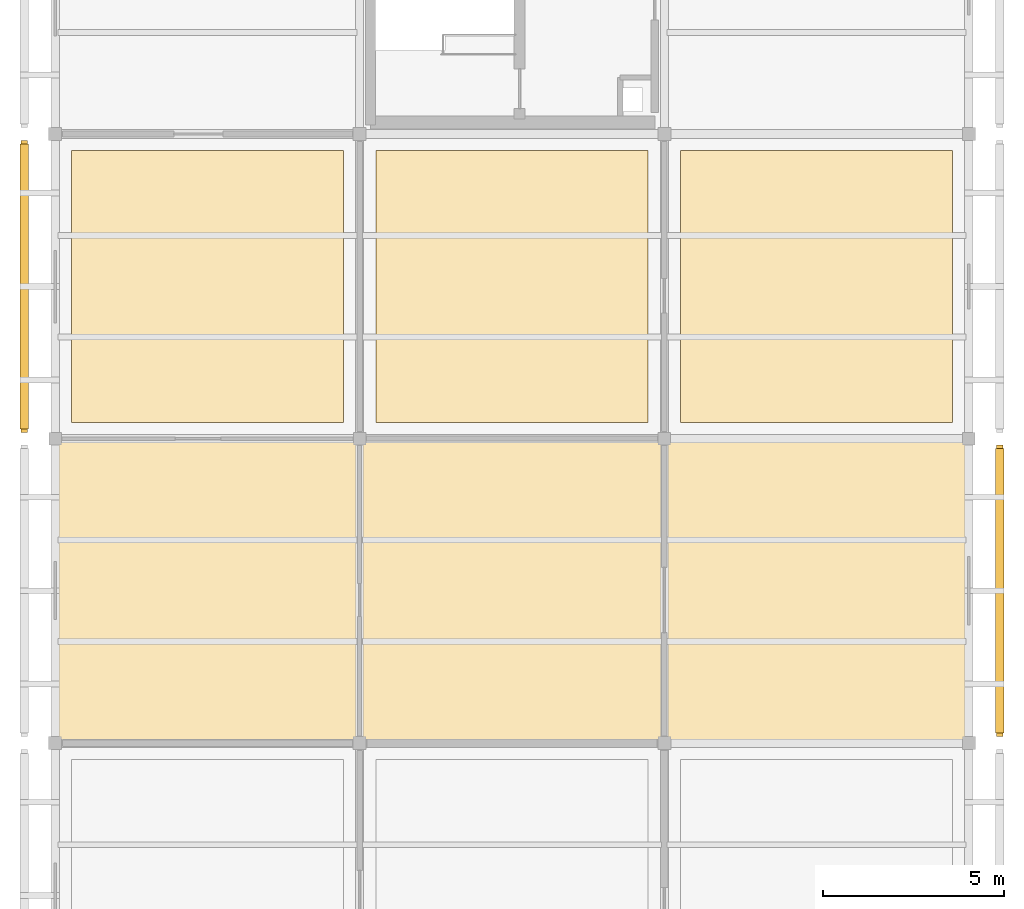
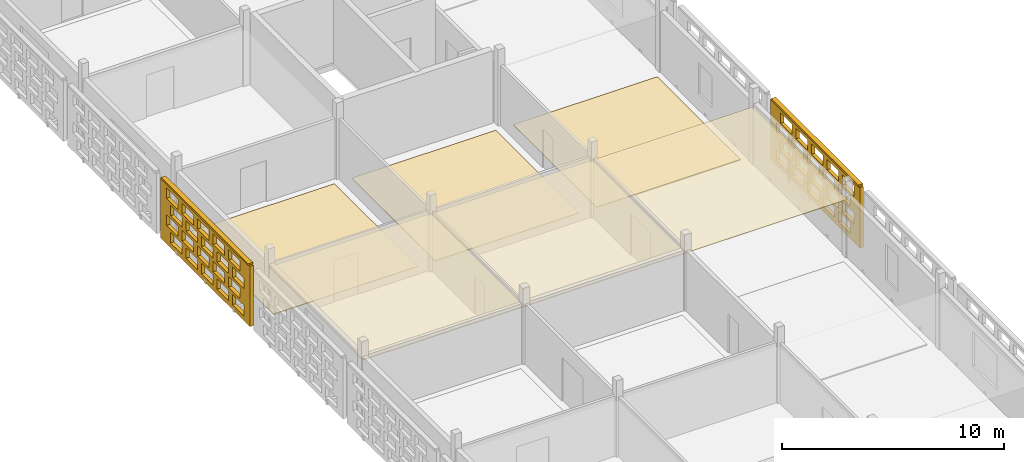
# One storey, part 9 of 13: 8 coverings, 2 shading devices, 40 openings.
"""IFC4 building model written with IfcOpenShell, lengths in metres."""

import ifcopenshell
import ifcopenshell.guid

model = None  # the IFC model being written
_history = None  # IfcOwnerHistory: only IFC2X3 demands one
_inside = {}  # id of a spatial element -> (the spatial element, [elements in it])
_under = {}  # id of a project, library or spatial element -> (it, [spatial elements below it])
_declared = {}  # id of a project -> (the project, [libraries it declares])
_typed = {}  # id of a type object -> (the type object, [elements of that type])
_made_of = {}  # id of a material, layer set ... -> (it, [elements and type objects made of it])


def new_model(schema):
    """Start an empty IFC model of exactly this schema.

    Asked for "IFC4X3", IfcOpenShell would pick the latest addendum, in which some entities
    have other attributes; the version numbers below select the first issue.
    IFC2X3 requires an IfcOwnerHistory on every rooted entity: one is made here for all.
    """
    global model, _history
    if schema == "IFC4X3":
        model = ifcopenshell.file(schema_version=(4, 3, 0, 0))
    else:
        model = ifcopenshell.file(schema=schema)
    _inside.clear()
    _under.clear()
    _declared.clear()
    _typed.clear()
    _made_of.clear()
    _history = None
    if model.schema == "IFC2X3":
        org = make("IfcOrganization", Name="unknown")
        user = make(
            "IfcPersonAndOrganization",
            ThePerson=make("IfcPerson", FamilyName="unknown"),
            TheOrganization=org,
        )
        app = make(
            "IfcApplication",
            ApplicationDeveloper=org,
            Version="unknown",
            ApplicationFullName="unknown",
            ApplicationIdentifier="unknown",
        )
        _history = make(
            "IfcOwnerHistory",
            OwningUser=user,
            OwningApplication=app,
            ChangeAction="ADDED",
            CreationDate=0,
        )
    return model


def make(cls, **values):
    """One entity of the class cls with the attributes given. An attribute that is None is left unset."""
    return model.create_entity(
        cls, **{name: value for name, value in values.items() if value is not None}
    )


def rooted(cls, **values):
    """An entity with a GlobalId (a new one), such as an element, a storey or a relation."""
    return make(cls, GlobalId=ifcopenshell.guid.new(), OwnerHistory=_history, **values)


def si_unit(unit_type, name, prefix=None):
    """IfcSIUnit, for example si_unit("LENGTHUNIT", "METRE", prefix="MILLI")."""
    return make("IfcSIUnit", UnitType=unit_type, Prefix=prefix, Name=name)


def assignment(units):
    """IfcUnitAssignment: the units of a project."""
    return None if units is None else make("IfcUnitAssignment", Units=units)


def point(xyz):
    """IfcCartesianPoint."""
    return None if xyz is None else make("IfcCartesianPoint", Coordinates=xyz)


def direction(xyz):
    """IfcDirection."""
    return None if xyz is None else make("IfcDirection", DirectionRatios=xyz)


def frame(location, z_axis=None, x_axis=None):
    """IfcAxis2Placement3D, a coordinate frame: its origin and axes. An axis left out is left unset."""
    return make(
        "IfcAxis2Placement3D",
        Location=point(location),
        Axis=direction(z_axis),
        RefDirection=direction(x_axis),
    )


def frame_2d(location, x_axis=None):
    """IfcAxis2Placement2D, a coordinate frame in the plane: its origin and x axis."""
    return make(
        "IfcAxis2Placement2D", Location=point(location), RefDirection=direction(x_axis)
    )


def origin():
    """The frame at (0, 0, 0) with its axes left unset."""
    return frame((0.0, 0.0, 0.0))


def origin_2d():
    """The frame at (0, 0) in the plane with its x axis left unset."""
    return frame_2d((0.0, 0.0))


def place(relative_to, where):
    """IfcLocalPlacement: puts the frame where relative to a parent placement (None: the world)."""
    return make(
        "IfcLocalPlacement", PlacementRelTo=relative_to, RelativePlacement=where
    )


def context(
    kind, dimensions, precision=None, world=None, true_north=None, identifier=None
):
    """IfcGeometricRepresentationContext, for example the 3D "Model" context."""
    return make(
        "IfcGeometricRepresentationContext",
        ContextIdentifier=identifier,
        ContextType=kind,
        CoordinateSpaceDimension=dimensions,
        Precision=precision,
        WorldCoordinateSystem=world,
        TrueNorth=true_north,
    )


def subcontext(parent, identifier, kind, view, scale=None):
    """IfcGeometricRepresentationSubContext, for example "Body" below "Model"."""
    return make(
        "IfcGeometricRepresentationSubContext",
        ContextIdentifier=identifier,
        ContextType=kind,
        ParentContext=parent,
        TargetScale=scale,
        TargetView=view,
    )


def project(units=None, contexts=None):
    """IfcProject with its units and contexts."""
    return rooted(
        "IfcProject",
        Name="project",
        RepresentationContexts=contexts,
        UnitsInContext=assignment(units),
    )


def spatial(cls, under=None, at=None, **own):
    """A site, building, storey or space (cls), placed at a placement, below another one or the project."""
    s = rooted(cls, ObjectPlacement=at, **own)
    if under is not None:
        _under.setdefault(under.id(), (under, []))[1].append(s)
    return s


def profile(cls, at=None, kind="AREA", **sizes):
    """A parametric profile (cls). Its sizes go by their IFC names, for example OverallWidth=200.0."""
    return make(cls, ProfileType=kind, Position=at, **sizes)


def rectangle(**sizes):
    """IfcRectangleProfileDef."""
    return profile("IfcRectangleProfileDef", **sizes)


def extrude(swept, where, along, depth):
    """IfcExtrudedAreaSolid: the profile swept, set in the frame where, extruded along a direction by depth."""
    return make(
        "IfcExtrudedAreaSolid",
        SweptArea=swept,
        Position=where,
        ExtrudedDirection=direction(along),
        Depth=depth,
    )


def shape(context_of_items, identifier, shape_type, items):
    """IfcShapeRepresentation: the items that make up one representation, for example the "Body"."""
    return make(
        "IfcShapeRepresentation",
        ContextOfItems=context_of_items,
        RepresentationIdentifier=identifier,
        RepresentationType=shape_type,
        Items=items,
    )


def material(Name=None, Category=None):
    """IfcMaterial."""
    return make("IfcMaterial", Name=Name, Category=Category)


def layer(
    of_material, thickness, ventilated=None, Name=None, Category=None, Priority=None
):
    """IfcMaterialLayer: one layer of a wall or slab, of a material (None: an air gap)."""
    return make(
        "IfcMaterialLayer",
        Material=of_material,
        LayerThickness=thickness,
        IsVentilated=ventilated,
        Name=Name,
        Category=Category,
        Priority=Priority,
    )


def layer_set(layers, Name=None):
    """IfcMaterialLayerSet."""
    return make("IfcMaterialLayerSet", MaterialLayers=layers, LayerSetName=Name)


def made_of(thing, what):
    """Note that an element or type object is made of a material, layer set ...; save() writes the relation."""
    if what is not None:
        _made_of.setdefault(what.id(), (what, []))[1].append(thing)
    return thing


def type_object(cls, material=None, **own):
    """A type object (cls), such as IfcWallType, which elements share."""
    return made_of(rooted(cls, **own), material)


def element(
    cls,
    number,
    at=None,
    inside=None,
    cuts=None,
    type_object=None,
    material=None,
    context=None,
    identifier="Body",
    shape_type=None,
    held_by="IfcProductDefinitionShape",
    body=None,
    shapes=None,
    **own,
):
    """One element of the class cls, such as IfcWall. Its Tag is "e" and its number.

    at: its placement. inside: the storey or other place that contains it. cuts: it is an
    opening in that element (IfcRelVoidsElement). A single representation is given by context,
    identifier, shape_type and body (its items); several are given by shapes. held_by: the class
    of the entity that holds the representations. save() writes the other relations.
    """
    e = rooted(cls, Tag="e%d" % number, ObjectPlacement=at, **own)
    if body is not None:
        shapes = [shape(context, identifier, shape_type, body)]
    if shapes is not None:
        e.Representation = make(held_by, Representations=shapes)
    if inside is not None:
        _inside.setdefault(inside.id(), (inside, []))[1].append(e)
    if cuts is not None:
        rooted(
            "IfcRelVoidsElement", RelatingBuildingElement=cuts, RelatedOpeningElement=e
        )
    if type_object is not None:
        _typed.setdefault(type_object.id(), (type_object, []))[1].append(e)
    return made_of(e, material)


def aggregate(whole, parts):
    """IfcRelAggregates: a whole, such as a stair, and the parts it consists of."""
    return rooted("IfcRelAggregates", RelatingObject=whole, RelatedObjects=parts)


def save(model, path):
    """Write the relations noted so far, then the file.

    IfcRelAggregates (storeys below a building ...), IfcRelContainedInSpatialStructure (elements
    in a storey), IfcRelDefinesByType, IfcRelAssociatesMaterial and IfcRelDeclares: one each for
    every whole, place, type object, material and project.
    """
    for whole, parts in _under.values():
        aggregate(whole, parts)
    for where, things in _inside.values():
        rooted(
            "IfcRelContainedInSpatialStructure",
            RelatedElements=things,
            RelatingStructure=where,
        )
    for kind, things in _typed.values():
        rooted("IfcRelDefinesByType", RelatedObjects=things, RelatingType=kind)
    for what, things in _made_of.values():
        rooted("IfcRelAssociatesMaterial", RelatedObjects=things, RelatingMaterial=what)
    for by, libraries in _declared.values():
        rooted("IfcRelDeclares", RelatingContext=by, RelatedDefinitions=libraries)
    model.write(path)


model = new_model("IFC4")

# Units and contexts
model_context = context("Model", 3, precision=1e-05, world=origin(), true_north=direction((0.0, 1.0)))
body_context = subcontext(model_context, "Body", "Model", "MODEL_VIEW")
ifc_project = project(units=[si_unit("LENGTHUNIT", "METRE"), si_unit("AREAUNIT", "SQUARE_METRE"), si_unit("VOLUMEUNIT", "CUBIC_METRE"), si_unit("PLANEANGLEUNIT", "RADIAN"), si_unit("MASSUNIT", "GRAM", prefix="KILO")], contexts=[model_context])

# Site, building, storey
site_placement = place(None, origin())
site = spatial("IfcSite", under=ifc_project, at=site_placement, CompositionType="ELEMENT")
building_placement = place(site_placement, origin())
building = spatial("IfcBuilding", under=site, at=building_placement, Name="Varnapada Polytechnic", CompositionType="ELEMENT")
storey_placement = place(building_placement, frame((0.0, 0.0, 26.39990234375)))
storey = spatial("IfcBuildingStorey", under=building, at=storey_placement, Name="L06", CompositionType="ELEMENT", Elevation=26.39990234375)

# Coverings
ifc_material_1 = material(Name="Acoustic Rubber Seminar Flooring")
ifc_layer_1 = layer(ifc_material_1, 0.0400390625)
ifc_layer_set_1 = layer_set([ifc_layer_1], Name="Acoustic Rubber Seminar Flooring")
covering_type_1 = type_object("IfcCoveringType", Name="Floor Finish FLR-06", PredefinedType="FLOORING", material=ifc_layer_set_1)
for number, where, z_axis, x_axis, name in (
    (1, (4.199951171875, 96.60009765625, 0.0), (0.0, 0.0, 1.0), (1.0, 0.0, 0.0), "L06 floor finish panel (1,12)"),
    (2, (12.60009765625, 96.60009765625, 0.0), (0.0, 0.0, 1.0), (1.0, 0.0, 0.0), "L06 floor finish panel (2,12)"),
    (3, (21.0, 96.60009765625, 0.0), (0.0, 0.0, 1.0), (1.0, 0.0, 0.0), "L06 floor finish panel (3,12)"),
):
    element("IfcCovering", number, at=place(storey_placement, frame(where, z_axis=z_axis, x_axis=x_axis)), inside=storey, type_object=covering_type_1, Name=name, PredefinedType="FLOORING", context=body_context, shape_type="SweptSolid", body=[
        extrude(rectangle(XDim=7.5, YDim=7.5, at=origin_2d()), origin(), (0.0, 0.0, 1.0), 0.0400390625),
    ])
ifc_material_2 = material(Name="Moisture-Resistant Aluminum Baffle Ceiling", Category="aluminium")
ifc_layer_2 = layer(ifc_material_2, 0.030029296875)
ifc_layer_set_2 = layer_set([ifc_layer_2], Name="Moisture-Resistant Aluminum Baffle Ceiling")
covering_type_2 = type_object("IfcCoveringType", Name="Suspended Ceiling CLG-03", PredefinedType="CEILING", material=ifc_layer_set_2)
covering_1_placement = place(storey_placement, frame((21.0, 88.199951171875, 3.03515625), z_axis=(0.0, 0.0, 1.0), x_axis=(1.0, 0.0, 0.0)))
element("IfcCovering", 4, at=covering_1_placement, inside=storey, type_object=covering_type_2, Name="L06 suspended acoustic ceiling (3,11)", PredefinedType="CEILING", context=body_context, shape_type="SweptSolid", body=[
    extrude(rectangle(XDim=8.419921875, YDim=8.419921875, at=origin_2d()), origin(), (0.0, 0.0, 1.0), 0.030029296875),
])
ifc_material_3 = material(Name="Micro-Perforated Gypsum Acoustic Ceiling")
ifc_layer_3 = layer(ifc_material_3, 0.044921875)
ifc_layer_set_3 = layer_set([ifc_layer_3], Name="Micro-Perforated Gypsum Acoustic Ceiling")
covering_type_3 = type_object("IfcCoveringType", Name="Suspended Ceiling CLG-04", PredefinedType="CEILING", material=ifc_layer_set_3)
covering_2_placement = place(storey_placement, frame((12.60009765625, 88.199951171875, 3.027587890625), z_axis=(0.0, 0.0, 1.0), x_axis=(1.0, 0.0, 0.0)))
element("IfcCovering", 5, at=covering_2_placement, inside=storey, type_object=covering_type_3, Name="L06 suspended acoustic ceiling (2,11)", PredefinedType="CEILING", context=body_context, shape_type="SweptSolid", body=[
    extrude(rectangle(XDim=8.419921875, YDim=8.419921875, at=origin_2d()), origin(), (0.0, 0.0, 1.0), 0.044921875),
])
ifc_material_4 = material(Name="Slatted Merbau Timber Acoustic Ceiling", Category="wood")
ifc_layer_4 = layer(ifc_material_4, 0.054931640625)
ifc_layer_set_4 = layer_set([ifc_layer_4], Name="Slatted Merbau Timber Acoustic Ceiling")
covering_type_4 = type_object("IfcCoveringType", Name="Suspended Ceiling CLG-05", PredefinedType="CEILING", material=ifc_layer_set_4)
covering_3_placement = place(storey_placement, frame((4.199951171875, 88.199951171875, 3.0224609375), z_axis=(0.0, 0.0, 1.0), x_axis=(1.0, 0.0, 0.0)))
element("IfcCovering", 6, at=covering_3_placement, inside=storey, type_object=covering_type_4, Name="L06 suspended acoustic ceiling (1,11)", PredefinedType="CEILING", context=body_context, shape_type="SweptSolid", body=[
    extrude(rectangle(XDim=8.419921875, YDim=8.419921875, at=origin_2d()), origin(), (0.0, 0.0, 1.0), 0.054931640625),
])

# Covering, openings
ifc_material_5 = material(Name="Earth-toned architectural terracotta screen block", Category="masonry")
ifc_layer_5 = layer(ifc_material_5, 0.1201171875)
ifc_layer_set_5 = layer_set([ifc_layer_5], Name="Earth-toned architectural terracotta screen block")
covering_type_5 = type_object("IfcCoveringType", Name="Terracotta Screen Cladding CLD-01", PredefinedType="CLADDING", material=ifc_layer_set_5)
covering_4_placement = place(storey_placement, frame((-0.85009765625, 92.570068359375, 0.0), z_axis=(0.0, 0.0, 1.0), x_axis=(0.0, 1.0, 0.0)))
covering_4 = element("IfcCovering", 7, at=covering_4_placement, inside=storey, type_object=covering_type_5, Name="L06 perforated terracotta block screen (6)", PredefinedType="CLADDING", context=body_context, shape_type="SweptSolid", body=[
    extrude(rectangle(XDim=8.050048828125, YDim=0.179931640625, at=frame_2d((4.02490234375, 0.0))), origin(), (0.0, 0.0, 1.0), 3.320068359375),
])
opening_1_placement = place(covering_4_placement, frame((0.52490234375, 0.0, 0.265625)))
element("IfcOpeningElement", 8, at=opening_1_placement, cuts=covering_4, Name="Screen perforation TBS-L06-005.1", PredefinedType="OPENING", context=body_context, shape_type="SweptSolid", body=[
    extrude(rectangle(XDim=1.0400390625, YDim=0.5810546875, at=frame_2d((0.52001953125, 0.29052734375))), frame((0.0, 0.099853515625, 0.0), z_axis=(0.0, -1.0, 0.0), x_axis=(1.0, 0.0, 0.0)), (0.0, 0.0, 1.0), 0.199951171875),
])
opening_2_placement = place(covering_4_placement, frame((1.925048828125, 0.0, 0.265625)))
element("IfcOpeningElement", 9, at=opening_2_placement, cuts=covering_4, Name="Screen perforation TBS-L06-005.2", PredefinedType="OPENING", context=body_context, shape_type="SweptSolid", body=[
    extrude(rectangle(XDim=1.0400390625, YDim=0.5810546875, at=frame_2d((0.52001953125, 0.29052734375))), frame((0.0, 0.099853515625, 0.0), z_axis=(0.0, -1.0, 0.0), x_axis=(1.0, 0.0, 0.0)), (0.0, 0.0, 1.0), 0.199951171875),
])
opening_3_placement = place(covering_4_placement, frame((3.324951171875, 0.0, 0.265625)))
element("IfcOpeningElement", 10, at=opening_3_placement, cuts=covering_4, Name="Screen perforation TBS-L06-005.3", PredefinedType="OPENING", context=body_context, shape_type="SweptSolid", body=[
    extrude(rectangle(XDim=1.0400390625, YDim=0.5810546875, at=frame_2d((0.52001953125, 0.29052734375))), frame((0.0, 0.099853515625, 0.0), z_axis=(0.0, -1.0, 0.0), x_axis=(1.0, 0.0, 0.0)), (0.0, 0.0, 1.0), 0.199951171875),
])
opening_4_placement = place(covering_4_placement, frame((4.72509765625, 0.0, 0.265625)))
element("IfcOpeningElement", 11, at=opening_4_placement, cuts=covering_4, Name="Screen perforation TBS-L06-005.4", PredefinedType="OPENING", context=body_context, shape_type="SweptSolid", body=[
    extrude(rectangle(XDim=1.0400390625, YDim=0.5810546875, at=frame_2d((0.52001953125, 0.29052734375))), frame((0.0, 0.099853515625, 0.0), z_axis=(0.0, -1.0, 0.0), x_axis=(1.0, 0.0, 0.0)), (0.0, 0.0, 1.0), 0.199951171875),
])
opening_5_placement = place(covering_4_placement, frame((6.125, 0.0, 0.265625)))
element("IfcOpeningElement", 12, at=opening_5_placement, cuts=covering_4, Name="Screen perforation TBS-L06-005.5", PredefinedType="OPENING", context=body_context, shape_type="SweptSolid", body=[
    extrude(rectangle(XDim=1.0400390625, YDim=0.5810546875, at=frame_2d((0.52001953125, 0.29052734375))), frame((0.0, 0.099853515625, 0.0), z_axis=(0.0, -1.0, 0.0), x_axis=(1.0, 0.0, 0.0)), (0.0, 0.0, 1.0), 0.199951171875),
])
opening_6_placement = place(covering_4_placement, frame((0.885009765625, 0.0, 1.0126953125)))
element("IfcOpeningElement", 13, at=opening_6_placement, cuts=covering_4, Name="Screen perforation TBS-L06-005.6", PredefinedType="OPENING", context=body_context, shape_type="SweptSolid", body=[
    extrude(rectangle(XDim=1.0400390625, YDim=0.5810546875, at=frame_2d((0.52001953125, 0.29052734375))), frame((0.0, 0.099853515625, 0.0), z_axis=(0.0, -1.0, 0.0), x_axis=(1.0, 0.0, 0.0)), (0.0, 0.0, 1.0), 0.199951171875),
])
opening_7_placement = place(covering_4_placement, frame((2.284912109375, 0.0, 1.0126953125)))
element("IfcOpeningElement", 14, at=opening_7_placement, cuts=covering_4, Name="Screen perforation TBS-L06-005.7", PredefinedType="OPENING", context=body_context, shape_type="SweptSolid", body=[
    extrude(rectangle(XDim=1.0400390625, YDim=0.5810546875, at=frame_2d((0.52001953125, 0.29052734375))), frame((0.0, 0.099853515625, 0.0), z_axis=(0.0, -1.0, 0.0), x_axis=(1.0, 0.0, 0.0)), (0.0, 0.0, 1.0), 0.199951171875),
])
opening_8_placement = place(covering_4_placement, frame((3.68505859375, 0.0, 1.0126953125)))
element("IfcOpeningElement", 15, at=opening_8_placement, cuts=covering_4, Name="Screen perforation TBS-L06-005.8", PredefinedType="OPENING", context=body_context, shape_type="SweptSolid", body=[
    extrude(rectangle(XDim=1.0400390625, YDim=0.5810546875, at=frame_2d((0.52001953125, 0.29052734375))), frame((0.0, 0.099853515625, 0.0), z_axis=(0.0, -1.0, 0.0), x_axis=(1.0, 0.0, 0.0)), (0.0, 0.0, 1.0), 0.199951171875),
])
opening_9_placement = place(covering_4_placement, frame((5.0849609375, 0.0, 1.0126953125)))
element("IfcOpeningElement", 16, at=opening_9_placement, cuts=covering_4, Name="Screen perforation TBS-L06-005.9", PredefinedType="OPENING", context=body_context, shape_type="SweptSolid", body=[
    extrude(rectangle(XDim=1.0400390625, YDim=0.5810546875, at=frame_2d((0.52001953125, 0.29052734375))), frame((0.0, 0.099853515625, 0.0), z_axis=(0.0, -1.0, 0.0), x_axis=(1.0, 0.0, 0.0)), (0.0, 0.0, 1.0), 0.199951171875),
])
opening_10_placement = place(covering_4_placement, frame((6.485107421875, 0.0, 1.0126953125)))
element("IfcOpeningElement", 17, at=opening_10_placement, cuts=covering_4, Name="Screen perforation TBS-L06-005.10", PredefinedType="OPENING", context=body_context, shape_type="SweptSolid", body=[
    extrude(rectangle(XDim=1.0400390625, YDim=0.5810546875, at=frame_2d((0.52001953125, 0.29052734375))), frame((0.0, 0.099853515625, 0.0), z_axis=(0.0, -1.0, 0.0), x_axis=(1.0, 0.0, 0.0)), (0.0, 0.0, 1.0), 0.199951171875),
])
opening_11_placement = place(covering_4_placement, frame((0.52490234375, 0.0, 1.759521484375)))
element("IfcOpeningElement", 18, at=opening_11_placement, cuts=covering_4, Name="Screen perforation TBS-L06-005.11", PredefinedType="OPENING", context=body_context, shape_type="SweptSolid", body=[
    extrude(rectangle(XDim=1.0400390625, YDim=0.5810546875, at=frame_2d((0.52001953125, 0.29052734375))), frame((0.0, 0.099853515625, 0.0), z_axis=(0.0, -1.0, 0.0), x_axis=(1.0, 0.0, 0.0)), (0.0, 0.0, 1.0), 0.199951171875),
])
opening_12_placement = place(covering_4_placement, frame((1.925048828125, 0.0, 1.759521484375)))
element("IfcOpeningElement", 19, at=opening_12_placement, cuts=covering_4, Name="Screen perforation TBS-L06-005.12", PredefinedType="OPENING", context=body_context, shape_type="SweptSolid", body=[
    extrude(rectangle(XDim=1.0400390625, YDim=0.5810546875, at=frame_2d((0.52001953125, 0.29052734375))), frame((0.0, 0.099853515625, 0.0), z_axis=(0.0, -1.0, 0.0), x_axis=(1.0, 0.0, 0.0)), (0.0, 0.0, 1.0), 0.199951171875),
])
opening_13_placement = place(covering_4_placement, frame((3.324951171875, 0.0, 1.759521484375)))
element("IfcOpeningElement", 20, at=opening_13_placement, cuts=covering_4, Name="Screen perforation TBS-L06-005.13", PredefinedType="OPENING", context=body_context, shape_type="SweptSolid", body=[
    extrude(rectangle(XDim=1.0400390625, YDim=0.5810546875, at=frame_2d((0.52001953125, 0.29052734375))), frame((0.0, 0.099853515625, 0.0), z_axis=(0.0, -1.0, 0.0), x_axis=(1.0, 0.0, 0.0)), (0.0, 0.0, 1.0), 0.199951171875),
])
opening_14_placement = place(covering_4_placement, frame((4.72509765625, 0.0, 1.759521484375)))
element("IfcOpeningElement", 21, at=opening_14_placement, cuts=covering_4, Name="Screen perforation TBS-L06-005.14", PredefinedType="OPENING", context=body_context, shape_type="SweptSolid", body=[
    extrude(rectangle(XDim=1.0400390625, YDim=0.5810546875, at=frame_2d((0.52001953125, 0.29052734375))), frame((0.0, 0.099853515625, 0.0), z_axis=(0.0, -1.0, 0.0), x_axis=(1.0, 0.0, 0.0)), (0.0, 0.0, 1.0), 0.199951171875),
])
opening_15_placement = place(covering_4_placement, frame((6.125, 0.0, 1.759521484375)))
element("IfcOpeningElement", 22, at=opening_15_placement, cuts=covering_4, Name="Screen perforation TBS-L06-005.15", PredefinedType="OPENING", context=body_context, shape_type="SweptSolid", body=[
    extrude(rectangle(XDim=1.0400390625, YDim=0.5810546875, at=frame_2d((0.52001953125, 0.29052734375))), frame((0.0, 0.099853515625, 0.0), z_axis=(0.0, -1.0, 0.0), x_axis=(1.0, 0.0, 0.0)), (0.0, 0.0, 1.0), 0.199951171875),
])
opening_16_placement = place(covering_4_placement, frame((0.885009765625, 0.0, 2.506591796875)))
element("IfcOpeningElement", 23, at=opening_16_placement, cuts=covering_4, Name="Screen perforation TBS-L06-005.16", PredefinedType="OPENING", context=body_context, shape_type="SweptSolid", body=[
    extrude(rectangle(XDim=1.0400390625, YDim=0.5810546875, at=frame_2d((0.52001953125, 0.29052734375))), frame((0.0, 0.099853515625, 0.0), z_axis=(0.0, -1.0, 0.0), x_axis=(1.0, 0.0, 0.0)), (0.0, 0.0, 1.0), 0.199951171875),
])
opening_17_placement = place(covering_4_placement, frame((2.284912109375, 0.0, 2.506591796875)))
element("IfcOpeningElement", 24, at=opening_17_placement, cuts=covering_4, Name="Screen perforation TBS-L06-005.17", PredefinedType="OPENING", context=body_context, shape_type="SweptSolid", body=[
    extrude(rectangle(XDim=1.0400390625, YDim=0.5810546875, at=frame_2d((0.52001953125, 0.29052734375))), frame((0.0, 0.099853515625, 0.0), z_axis=(0.0, -1.0, 0.0), x_axis=(1.0, 0.0, 0.0)), (0.0, 0.0, 1.0), 0.199951171875),
])
opening_18_placement = place(covering_4_placement, frame((3.68505859375, 0.0, 2.506591796875)))
element("IfcOpeningElement", 25, at=opening_18_placement, cuts=covering_4, Name="Screen perforation TBS-L06-005.18", PredefinedType="OPENING", context=body_context, shape_type="SweptSolid", body=[
    extrude(rectangle(XDim=1.0400390625, YDim=0.5810546875, at=frame_2d((0.52001953125, 0.29052734375))), frame((0.0, 0.099853515625, 0.0), z_axis=(0.0, -1.0, 0.0), x_axis=(1.0, 0.0, 0.0)), (0.0, 0.0, 1.0), 0.199951171875),
])
opening_19_placement = place(covering_4_placement, frame((5.0849609375, 0.0, 2.506591796875)))
element("IfcOpeningElement", 26, at=opening_19_placement, cuts=covering_4, Name="Screen perforation TBS-L06-005.19", PredefinedType="OPENING", context=body_context, shape_type="SweptSolid", body=[
    extrude(rectangle(XDim=1.0400390625, YDim=0.5810546875, at=frame_2d((0.52001953125, 0.29052734375))), frame((0.0, 0.099853515625, 0.0), z_axis=(0.0, -1.0, 0.0), x_axis=(1.0, 0.0, 0.0)), (0.0, 0.0, 1.0), 0.199951171875),
])
opening_20_placement = place(covering_4_placement, frame((6.485107421875, 0.0, 2.506591796875)))
element("IfcOpeningElement", 27, at=opening_20_placement, cuts=covering_4, Name="Screen perforation TBS-L06-005.20", PredefinedType="OPENING", context=body_context, shape_type="SweptSolid", body=[
    extrude(rectangle(XDim=1.0400390625, YDim=0.5810546875, at=frame_2d((0.52001953125, 0.29052734375))), frame((0.0, 0.099853515625, 0.0), z_axis=(0.0, -1.0, 0.0), x_axis=(1.0, 0.0, 0.0)), (0.0, 0.0, 1.0), 0.199951171875),
])

covering_5_placement = place(storey_placement, frame((26.050048828125, 92.22998046875, 0.0), z_axis=(0.0, 0.0, 1.0), x_axis=(0.0, -1.0, 0.0)))
covering_5 = element("IfcCovering", 28, at=covering_5_placement, inside=storey, type_object=covering_type_5, Name="L06 perforated terracotta block screen (16)", PredefinedType="CLADDING", context=body_context, shape_type="SweptSolid", body=[
    extrude(rectangle(XDim=8.050048828125, YDim=0.179931640625, at=frame_2d((4.02490234375, 0.0))), origin(), (0.0, 0.0, 1.0), 3.320068359375),
])
opening_21_placement = place(covering_5_placement, frame((0.52490234375, 0.0, 0.265625)))
element("IfcOpeningElement", 29, at=opening_21_placement, cuts=covering_5, Name="Screen perforation TBS-L06-015.1", PredefinedType="OPENING", context=body_context, shape_type="SweptSolid", body=[
    extrude(rectangle(XDim=1.0400390625, YDim=0.5810546875, at=frame_2d((0.52001953125, 0.29052734375))), frame((0.0, 0.099853515625, 0.0), z_axis=(0.0, -1.0, 0.0), x_axis=(1.0, 0.0, 0.0)), (0.0, 0.0, 1.0), 0.199951171875),
])
opening_22_placement = place(covering_5_placement, frame((1.925048828125, 0.0, 0.265625)))
element("IfcOpeningElement", 30, at=opening_22_placement, cuts=covering_5, Name="Screen perforation TBS-L06-015.2", PredefinedType="OPENING", context=body_context, shape_type="SweptSolid", body=[
    extrude(rectangle(XDim=1.0400390625, YDim=0.5810546875, at=frame_2d((0.52001953125, 0.29052734375))), frame((0.0, 0.099853515625, 0.0), z_axis=(0.0, -1.0, 0.0), x_axis=(1.0, 0.0, 0.0)), (0.0, 0.0, 1.0), 0.199951171875),
])
opening_23_placement = place(covering_5_placement, frame((3.324951171875, 0.0, 0.265625)))
element("IfcOpeningElement", 31, at=opening_23_placement, cuts=covering_5, Name="Screen perforation TBS-L06-015.3", PredefinedType="OPENING", context=body_context, shape_type="SweptSolid", body=[
    extrude(rectangle(XDim=1.0400390625, YDim=0.5810546875, at=frame_2d((0.52001953125, 0.29052734375))), frame((0.0, 0.099853515625, 0.0), z_axis=(0.0, -1.0, 0.0), x_axis=(1.0, 0.0, 0.0)), (0.0, 0.0, 1.0), 0.199951171875),
])
opening_24_placement = place(covering_5_placement, frame((4.72509765625, 0.0, 0.265625)))
element("IfcOpeningElement", 32, at=opening_24_placement, cuts=covering_5, Name="Screen perforation TBS-L06-015.4", PredefinedType="OPENING", context=body_context, shape_type="SweptSolid", body=[
    extrude(rectangle(XDim=1.0400390625, YDim=0.5810546875, at=frame_2d((0.52001953125, 0.29052734375))), frame((0.0, 0.099853515625, 0.0), z_axis=(0.0, -1.0, 0.0), x_axis=(1.0, 0.0, 0.0)), (0.0, 0.0, 1.0), 0.199951171875),
])
opening_25_placement = place(covering_5_placement, frame((6.125, 0.0, 0.265625)))
element("IfcOpeningElement", 33, at=opening_25_placement, cuts=covering_5, Name="Screen perforation TBS-L06-015.5", PredefinedType="OPENING", context=body_context, shape_type="SweptSolid", body=[
    extrude(rectangle(XDim=1.0400390625, YDim=0.5810546875, at=frame_2d((0.52001953125, 0.29052734375))), frame((0.0, 0.099853515625, 0.0), z_axis=(0.0, -1.0, 0.0), x_axis=(1.0, 0.0, 0.0)), (0.0, 0.0, 1.0), 0.199951171875),
])
opening_26_placement = place(covering_5_placement, frame((0.885009765625, 0.0, 1.0126953125)))
element("IfcOpeningElement", 34, at=opening_26_placement, cuts=covering_5, Name="Screen perforation TBS-L06-015.6", PredefinedType="OPENING", context=body_context, shape_type="SweptSolid", body=[
    extrude(rectangle(XDim=1.0400390625, YDim=0.5810546875, at=frame_2d((0.52001953125, 0.29052734375))), frame((0.0, 0.099853515625, 0.0), z_axis=(0.0, -1.0, 0.0), x_axis=(1.0, 0.0, 0.0)), (0.0, 0.0, 1.0), 0.199951171875),
])
opening_27_placement = place(covering_5_placement, frame((2.284912109375, 0.0, 1.0126953125)))
element("IfcOpeningElement", 35, at=opening_27_placement, cuts=covering_5, Name="Screen perforation TBS-L06-015.7", PredefinedType="OPENING", context=body_context, shape_type="SweptSolid", body=[
    extrude(rectangle(XDim=1.0400390625, YDim=0.5810546875, at=frame_2d((0.52001953125, 0.29052734375))), frame((0.0, 0.099853515625, 0.0), z_axis=(0.0, -1.0, 0.0), x_axis=(1.0, 0.0, 0.0)), (0.0, 0.0, 1.0), 0.199951171875),
])
opening_28_placement = place(covering_5_placement, frame((3.68505859375, 0.0, 1.0126953125)))
element("IfcOpeningElement", 36, at=opening_28_placement, cuts=covering_5, Name="Screen perforation TBS-L06-015.8", PredefinedType="OPENING", context=body_context, shape_type="SweptSolid", body=[
    extrude(rectangle(XDim=1.0400390625, YDim=0.5810546875, at=frame_2d((0.52001953125, 0.29052734375))), frame((0.0, 0.099853515625, 0.0), z_axis=(0.0, -1.0, 0.0), x_axis=(1.0, 0.0, 0.0)), (0.0, 0.0, 1.0), 0.199951171875),
])
opening_29_placement = place(covering_5_placement, frame((5.0849609375, 0.0, 1.0126953125)))
element("IfcOpeningElement", 37, at=opening_29_placement, cuts=covering_5, Name="Screen perforation TBS-L06-015.9", PredefinedType="OPENING", context=body_context, shape_type="SweptSolid", body=[
    extrude(rectangle(XDim=1.0400390625, YDim=0.5810546875, at=frame_2d((0.52001953125, 0.29052734375))), frame((0.0, 0.099853515625, 0.0), z_axis=(0.0, -1.0, 0.0), x_axis=(1.0, 0.0, 0.0)), (0.0, 0.0, 1.0), 0.199951171875),
])
opening_30_placement = place(covering_5_placement, frame((6.485107421875, 0.0, 1.0126953125)))
element("IfcOpeningElement", 38, at=opening_30_placement, cuts=covering_5, Name="Screen perforation TBS-L06-015.10", PredefinedType="OPENING", context=body_context, shape_type="SweptSolid", body=[
    extrude(rectangle(XDim=1.0400390625, YDim=0.5810546875, at=frame_2d((0.52001953125, 0.29052734375))), frame((0.0, 0.099853515625, 0.0), z_axis=(0.0, -1.0, 0.0), x_axis=(1.0, 0.0, 0.0)), (0.0, 0.0, 1.0), 0.199951171875),
])
opening_31_placement = place(covering_5_placement, frame((0.52490234375, 0.0, 1.759521484375)))
element("IfcOpeningElement", 39, at=opening_31_placement, cuts=covering_5, Name="Screen perforation TBS-L06-015.11", PredefinedType="OPENING", context=body_context, shape_type="SweptSolid", body=[
    extrude(rectangle(XDim=1.0400390625, YDim=0.5810546875, at=frame_2d((0.52001953125, 0.29052734375))), frame((0.0, 0.099853515625, 0.0), z_axis=(0.0, -1.0, 0.0), x_axis=(1.0, 0.0, 0.0)), (0.0, 0.0, 1.0), 0.199951171875),
])
opening_32_placement = place(covering_5_placement, frame((1.925048828125, 0.0, 1.759521484375)))
element("IfcOpeningElement", 40, at=opening_32_placement, cuts=covering_5, Name="Screen perforation TBS-L06-015.12", PredefinedType="OPENING", context=body_context, shape_type="SweptSolid", body=[
    extrude(rectangle(XDim=1.0400390625, YDim=0.5810546875, at=frame_2d((0.52001953125, 0.29052734375))), frame((0.0, 0.099853515625, 0.0), z_axis=(0.0, -1.0, 0.0), x_axis=(1.0, 0.0, 0.0)), (0.0, 0.0, 1.0), 0.199951171875),
])
opening_33_placement = place(covering_5_placement, frame((3.324951171875, 0.0, 1.759521484375)))
element("IfcOpeningElement", 41, at=opening_33_placement, cuts=covering_5, Name="Screen perforation TBS-L06-015.13", PredefinedType="OPENING", context=body_context, shape_type="SweptSolid", body=[
    extrude(rectangle(XDim=1.0400390625, YDim=0.5810546875, at=frame_2d((0.52001953125, 0.29052734375))), frame((0.0, 0.099853515625, 0.0), z_axis=(0.0, -1.0, 0.0), x_axis=(1.0, 0.0, 0.0)), (0.0, 0.0, 1.0), 0.199951171875),
])
opening_34_placement = place(covering_5_placement, frame((4.72509765625, 0.0, 1.759521484375)))
element("IfcOpeningElement", 42, at=opening_34_placement, cuts=covering_5, Name="Screen perforation TBS-L06-015.14", PredefinedType="OPENING", context=body_context, shape_type="SweptSolid", body=[
    extrude(rectangle(XDim=1.0400390625, YDim=0.5810546875, at=frame_2d((0.52001953125, 0.29052734375))), frame((0.0, 0.099853515625, 0.0), z_axis=(0.0, -1.0, 0.0), x_axis=(1.0, 0.0, 0.0)), (0.0, 0.0, 1.0), 0.199951171875),
])
opening_35_placement = place(covering_5_placement, frame((6.125, 0.0, 1.759521484375)))
element("IfcOpeningElement", 43, at=opening_35_placement, cuts=covering_5, Name="Screen perforation TBS-L06-015.15", PredefinedType="OPENING", context=body_context, shape_type="SweptSolid", body=[
    extrude(rectangle(XDim=1.0400390625, YDim=0.5810546875, at=frame_2d((0.52001953125, 0.29052734375))), frame((0.0, 0.099853515625, 0.0), z_axis=(0.0, -1.0, 0.0), x_axis=(1.0, 0.0, 0.0)), (0.0, 0.0, 1.0), 0.199951171875),
])
opening_36_placement = place(covering_5_placement, frame((0.885009765625, 0.0, 2.506591796875)))
element("IfcOpeningElement", 44, at=opening_36_placement, cuts=covering_5, Name="Screen perforation TBS-L06-015.16", PredefinedType="OPENING", context=body_context, shape_type="SweptSolid", body=[
    extrude(rectangle(XDim=1.0400390625, YDim=0.5810546875, at=frame_2d((0.52001953125, 0.29052734375))), frame((0.0, 0.099853515625, 0.0), z_axis=(0.0, -1.0, 0.0), x_axis=(1.0, 0.0, 0.0)), (0.0, 0.0, 1.0), 0.199951171875),
])
opening_37_placement = place(covering_5_placement, frame((2.284912109375, 0.0, 2.506591796875)))
element("IfcOpeningElement", 45, at=opening_37_placement, cuts=covering_5, Name="Screen perforation TBS-L06-015.17", PredefinedType="OPENING", context=body_context, shape_type="SweptSolid", body=[
    extrude(rectangle(XDim=1.0400390625, YDim=0.5810546875, at=frame_2d((0.52001953125, 0.29052734375))), frame((0.0, 0.099853515625, 0.0), z_axis=(0.0, -1.0, 0.0), x_axis=(1.0, 0.0, 0.0)), (0.0, 0.0, 1.0), 0.199951171875),
])
opening_38_placement = place(covering_5_placement, frame((3.68505859375, 0.0, 2.506591796875)))
element("IfcOpeningElement", 46, at=opening_38_placement, cuts=covering_5, Name="Screen perforation TBS-L06-015.18", PredefinedType="OPENING", context=body_context, shape_type="SweptSolid", body=[
    extrude(rectangle(XDim=1.0400390625, YDim=0.5810546875, at=frame_2d((0.52001953125, 0.29052734375))), frame((0.0, 0.099853515625, 0.0), z_axis=(0.0, -1.0, 0.0), x_axis=(1.0, 0.0, 0.0)), (0.0, 0.0, 1.0), 0.199951171875),
])
opening_39_placement = place(covering_5_placement, frame((5.0849609375, 0.0, 2.506591796875)))
element("IfcOpeningElement", 47, at=opening_39_placement, cuts=covering_5, Name="Screen perforation TBS-L06-015.19", PredefinedType="OPENING", context=body_context, shape_type="SweptSolid", body=[
    extrude(rectangle(XDim=1.0400390625, YDim=0.5810546875, at=frame_2d((0.52001953125, 0.29052734375))), frame((0.0, 0.099853515625, 0.0), z_axis=(0.0, -1.0, 0.0), x_axis=(1.0, 0.0, 0.0)), (0.0, 0.0, 1.0), 0.199951171875),
])
opening_40_placement = place(covering_5_placement, frame((6.485107421875, 0.0, 2.506591796875)))
element("IfcOpeningElement", 48, at=opening_40_placement, cuts=covering_5, Name="Screen perforation TBS-L06-015.20", PredefinedType="OPENING", context=body_context, shape_type="SweptSolid", body=[
    extrude(rectangle(XDim=1.0400390625, YDim=0.5810546875, at=frame_2d((0.52001953125, 0.29052734375))), frame((0.0, 0.099853515625, 0.0), z_axis=(0.0, -1.0, 0.0), x_axis=(1.0, 0.0, 0.0)), (0.0, 0.0, 1.0), 0.199951171875),
])

# Shading devices
ifc_layer_6 = layer(ifc_material_5, 0.179931640625)
ifc_layer_set_6 = layer_set([ifc_layer_6], Name="Earth-toned architectural terracotta screen block")
shading_device_type = type_object("IfcShadingDeviceType", Name="Terracotta Screen SCR-01", PredefinedType="USERDEFINED", material=ifc_layer_set_6)
for number, where, z_axis, x_axis, name in (
    (49, (-0.85009765625, 96.594970703125, 3.31005859375), (0.0, 0.0, 1.0), (0.0, 1.0, 0.0), "L06 perforated terracotta screen hood 497"),
    (50, (26.050048828125, 88.205078125, 3.31005859375), (0.0, 0.0, 1.0), (0.0, -1.0, 0.0), "L06 perforated terracotta screen hood 503"),
):
    element("IfcShadingDevice", number, at=place(storey_placement, frame(where, z_axis=z_axis, x_axis=x_axis)), inside=storey, type_object=shading_device_type, Name=name, ObjectType="SCREEN", PredefinedType="USERDEFINED", context=body_context, shape_type="SweptSolid", body=[
        extrude(rectangle(XDim=7.85009765625, YDim=0.239990234375, at=origin_2d()), origin(), (0.0, 0.0, 1.0), 0.10009765625),
    ])

save(model, "model.ifc")
